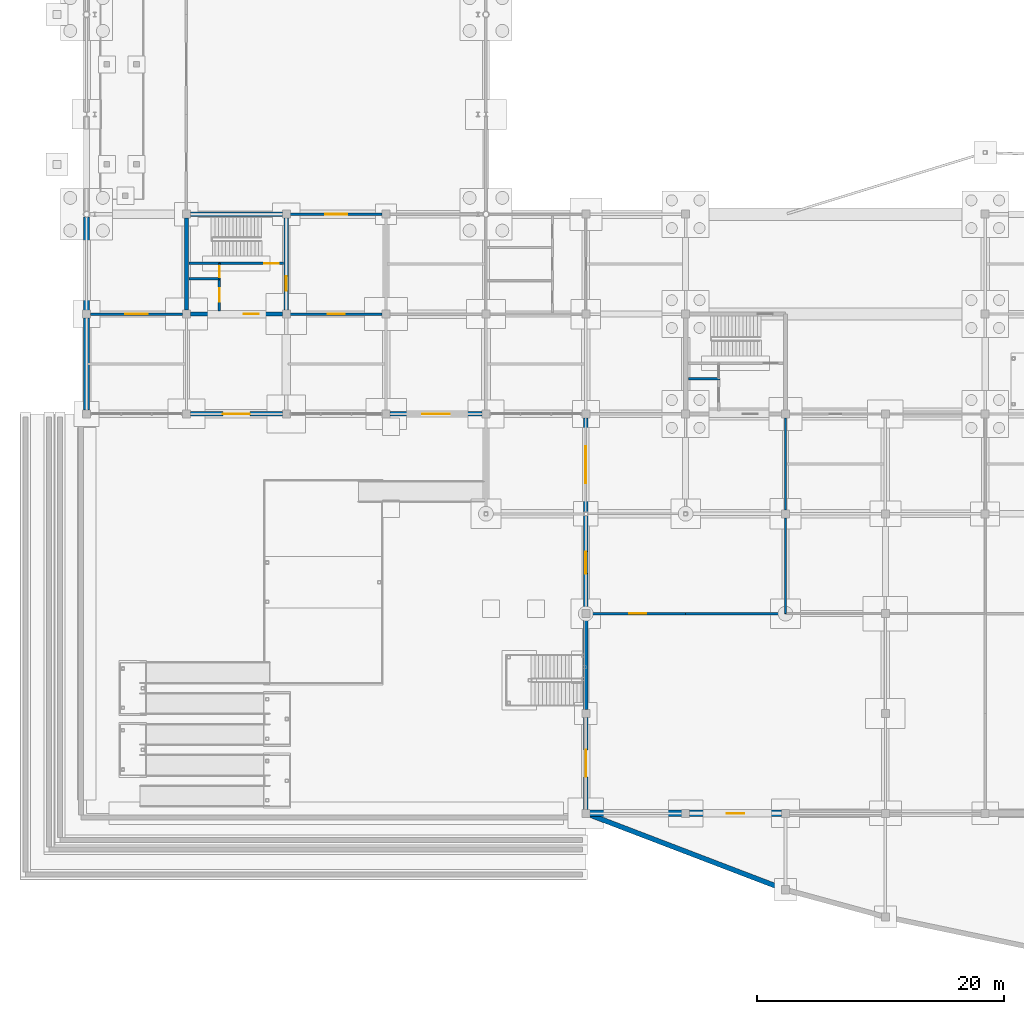
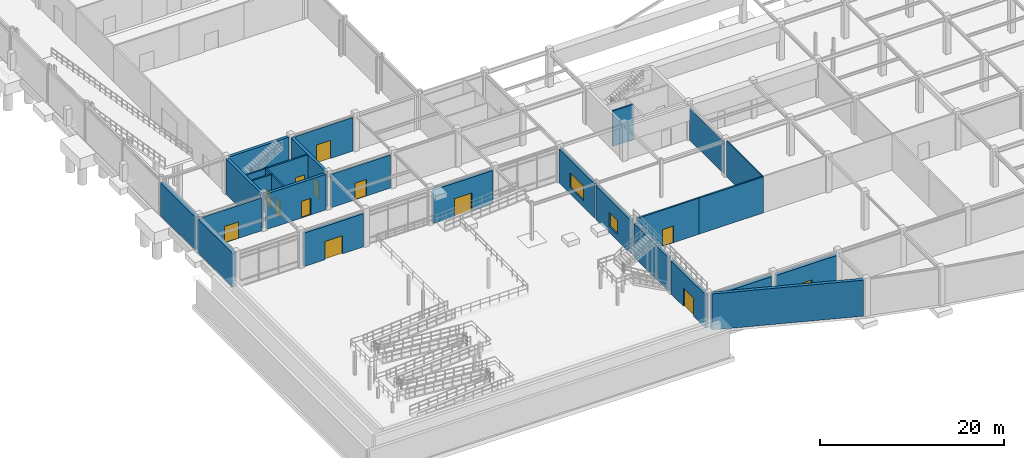
# One storey, part 45 of 67: 27 walls, 13 doors, 2 windows, 15 openings.
"""IFC4 building model written with IfcOpenShell, lengths in metres."""

from ifc_helpers import new_model, si_unit, direction, frame, frame_2d, origin, place, context, subcontext, project, spatial, rectangle, extrude, material, layer, layer_set, type_object, element, fill, save


model = new_model("IFC4")

# Units and contexts
model_context = context("Model", 3, precision=1e-05, world=origin(), true_north=direction((0.0, 1.0)))
body_context = subcontext(model_context, "Body", "Model", "MODEL_VIEW")
ifc_project = project(units=[si_unit("LENGTHUNIT", "METRE"), si_unit("AREAUNIT", "SQUARE_METRE"), si_unit("VOLUMEUNIT", "CUBIC_METRE"), si_unit("PLANEANGLEUNIT", "RADIAN"), si_unit("MASSUNIT", "GRAM", prefix="KILO")], contexts=[model_context])

# Site, building, storey
site_placement = place(None, origin())
site = spatial("IfcSite", under=ifc_project, at=site_placement, CompositionType="ELEMENT")
building_placement = place(site_placement, origin())
building = spatial("IfcBuilding", under=site, at=building_placement, Name="Vaudrelin Polytechnic", CompositionType="ELEMENT")
storey_placement = place(building_placement, frame((0.0, 0.0, -5.10009765625)))
storey = spatial("IfcBuildingStorey", under=building, at=storey_placement, Name="B1", CompositionType="ELEMENT", Elevation=-5.10009765625)

# Wall, opening, door
ifc_material_1 = material(Name="Precast concrete 35 MPa with standing-seam zinc rainscreen", Category="concrete")
ifc_layer_1 = layer(ifc_material_1, 0.360107421875)
ifc_layer_set_1 = layer_set([ifc_layer_1], Name="Precast concrete 35 MPa with standing-seam zinc rainscreen")
wall_type_1 = type_object("IfcWallType", Name="WAL-EW-ZINC360", PredefinedType="STANDARD", material=ifc_layer_set_1)
wall_1_placement = place(storey_placement, frame((8.423095703125, 32.39990234375, 0.0), z_axis=(0.0, 0.0, 1.0), x_axis=(1.0, 0.0, 0.0)))
wall_1 = element("IfcWall", 1, at=wall_1_placement, inside=storey, type_object=wall_type_1, Name="Exterior wall B1 FC_N_01", PredefinedType="STANDARD", context=body_context, shape_type="SweptSolid", body=[
    extrude(rectangle(XDim=7.453857421875, YDim=0.360107421875, at=frame_2d((3.72705078125, 0.0))), origin(), (0.0, 0.0, 1.0), 4.424072265625),
])
opening_1_placement = place(wall_1_placement, frame((2.626953125, 0.0, 0.0)))
opening_1 = element("IfcOpeningElement", 2, at=opening_1_placement, cuts=wall_1, Name="Opening ED-FC-01", PredefinedType="OPENING", context=body_context, shape_type="SweptSolid", body=[
    extrude(rectangle(XDim=2.199951171875, YDim=2.39990234375, at=frame_2d((1.10009765625, 1.199951171875))), frame((0.0, 0.18994140625, 0.0), z_axis=(0.0, -1.0, 0.0), x_axis=(1.0, 0.0, 0.0)), (0.0, 0.0, 1.0), 0.380126953125),
])
ifc_material_2 = material(Name="Thermally broken anodised aluminium AA 6063-T6", Category="aluminium")
door_type_1 = type_object("IfcDoorType", Name="DOR-ED-04", OperationType="DOUBLE_SWING_LEFT", PredefinedType="DOOR", material=ifc_material_2)
door_1_placement = place(opening_1_placement, origin())
door_1 = element("IfcDoor", 3, at=door_1_placement, inside=storey, type_object=door_type_1, Name="Exterior exit door ED-FC-01", OperationType="DOUBLE_SWING_LEFT", OverallHeight=2.39990234375, OverallWidth=2.199951171875, PredefinedType="DOOR", context=body_context, shape_type="SweptSolid", body=[
    extrude(rectangle(XDim=2.199951171875, YDim=2.39990234375, at=frame_2d((1.10009765625, 1.199951171875))), frame((0.0, 0.02490234375, 0.0), z_axis=(0.0, -1.0, 0.0), x_axis=(1.0, 0.0, 0.0)), (0.0, 0.0, 1.0), 0.050048828125),
])
fill(opening_1, door_1)

wall_2_placement = place(storey_placement, frame((24.623046875, 32.39990234375, 0.0), z_axis=(0.0, 0.0, 1.0), x_axis=(1.0, 0.0, 0.0)))
wall_2 = element("IfcWall", 4, at=wall_2_placement, inside=storey, type_object=wall_type_1, Name="Exterior wall B1 FC_N_03", PredefinedType="STANDARD", context=body_context, shape_type="SweptSolid", body=[
    extrude(rectangle(XDim=7.453857421875, YDim=0.360107421875, at=frame_2d((3.72705078125, 0.0))), origin(), (0.0, 0.0, 1.0), 4.465087890625),
])
opening_2_placement = place(wall_2_placement, frame((2.626953125, 0.0, 0.0)))
opening_2 = element("IfcOpeningElement", 5, at=opening_2_placement, cuts=wall_2, Name="Opening ED-FC-02", PredefinedType="OPENING", context=body_context, shape_type="SweptSolid", body=[
    extrude(rectangle(XDim=2.199951171875, YDim=2.39990234375, at=frame_2d((1.10009765625, 1.199951171875))), frame((0.0, 0.18994140625, 0.0), z_axis=(0.0, -1.0, 0.0), x_axis=(1.0, 0.0, 0.0)), (0.0, 0.0, 1.0), 0.380126953125),
])
door_2_placement = place(opening_2_placement, origin())
door_2 = element("IfcDoor", 6, at=door_2_placement, inside=storey, type_object=door_type_1, Name="Exterior exit door ED-FC-02", OperationType="DOUBLE_SWING_RIGHT", OverallHeight=2.39990234375, OverallWidth=2.199951171875, PredefinedType="DOOR", context=body_context, shape_type="SweptSolid", body=[
    extrude(rectangle(XDim=2.199951171875, YDim=2.39990234375, at=frame_2d((1.10009765625, 1.199951171875))), frame((0.0, 0.02490234375, 0.0), z_axis=(0.0, -1.0, 0.0), x_axis=(1.0, 0.0, 0.0)), (0.0, 0.0, 1.0), 0.050048828125),
])
fill(opening_2, door_2)

wall_3_placement = place(storey_placement, frame((40.5, 0.322998046875, 0.0), z_axis=(0.0, 0.0, 1.0), x_axis=(0.0, 1.0, 0.0)))
wall_3 = element("IfcWall", 7, at=wall_3_placement, inside=storey, type_object=wall_type_1, Name="Exterior wall B1 FC_E_00", PredefinedType="STANDARD", context=body_context, shape_type="SweptSolid", body=[
    extrude(rectangle(XDim=7.4541015625, YDim=0.360107421875, at=frame_2d((3.72705078125, 0.0))), origin(), (0.0, 0.0, 1.0), 4.424072265625),
])
opening_3_placement = place(wall_3_placement, frame((4.826904296875, 0.0, 0.0), z_axis=(0.0, 0.0, 1.0), x_axis=(-1.0, 0.0, 0.0)))
opening_3 = element("IfcOpeningElement", 8, at=opening_3_placement, cuts=wall_3, Name="Opening ED-FC-03", PredefinedType="OPENING", context=body_context, shape_type="SweptSolid", body=[
    extrude(rectangle(XDim=2.199951171875, YDim=2.39990234375, at=frame_2d((1.10009765625, 1.199951171875))), frame((0.0, 0.18994140625, 0.0), z_axis=(0.0, -1.0, 0.0), x_axis=(1.0, 0.0, 0.0)), (0.0, 0.0, 1.0), 0.380126953125),
])
door_3_placement = place(opening_3_placement, origin())
door_3 = element("IfcDoor", 9, at=door_3_placement, inside=storey, type_object=door_type_1, Name="Exterior exit door ED-FC-03", OperationType="DOUBLE_SWING_LEFT", OverallHeight=2.39990234375, OverallWidth=2.199951171875, PredefinedType="DOOR", context=body_context, shape_type="SweptSolid", body=[
    extrude(rectangle(XDim=2.199951171875, YDim=2.39990234375, at=frame_2d((1.10009765625, 1.199951171875))), frame((0.0, 0.02490234375, 0.0), z_axis=(0.0, -1.0, 0.0), x_axis=(1.0, 0.0, 0.0)), (0.0, 0.0, 1.0), 0.050048828125),
])
fill(opening_3, door_3)

# Wall
wall_4_placement = place(storey_placement, frame((40.5, 8.423095703125, 0.0), z_axis=(0.0, 0.0, 1.0), x_axis=(0.0, 1.0, 0.0)))
element("IfcWall", 10, at=wall_4_placement, inside=storey, type_object=wall_type_1, Name="Exterior wall B1 FC_E_01", PredefinedType="STANDARD", context=body_context, shape_type="SweptSolid", body=[
    extrude(rectangle(XDim=7.453857421875, YDim=0.360107421875, at=frame_2d((3.72705078125, 0.0))), origin(), (0.0, 0.0, 1.0), 4.47607421875),
])

# Wall, opening, window
wall_5_placement = place(storey_placement, frame((40.5, 16.52294921875, 0.0), z_axis=(0.0, 0.0, 1.0), x_axis=(0.0, 1.0, 0.0)))
wall_5 = element("IfcWall", 11, at=wall_5_placement, inside=storey, type_object=wall_type_1, Name="Exterior wall B1 FC_E_02", PredefinedType="STANDARD", context=body_context, shape_type="SweptSolid", body=[
    extrude(rectangle(XDim=7.62646484375, YDim=0.360107421875, at=frame_2d((3.813232421875, 0.0))), origin(), (0.0, 0.0, 1.0), 4.465087890625),
])
opening_4_placement = place(wall_5_placement, frame((2.913330078125, 0.0, 0.85009765625)))
opening_4 = element("IfcOpeningElement", 12, at=opening_4_placement, cuts=wall_5, Name="Opening W-B1-FC-E-03", PredefinedType="OPENING", context=body_context, shape_type="SweptSolid", body=[
    extrude(rectangle(XDim=1.800048828125, YDim=1.800048828125, at=frame_2d((0.89990234375, 0.89990234375))), frame((0.0, 0.18994140625, 0.0), z_axis=(0.0, -1.0, 0.0), x_axis=(1.0, 0.0, 0.0)), (0.0, 0.0, 1.0), 0.380126953125),
])
ifc_material_3 = material(Name="Thermally broken aluminium frame with triple low-e glazing", Category="aluminium")
window_type_1 = type_object("IfcWindowType", Name="WIN-WN-02", PartitioningType="SINGLE_PANEL", PredefinedType="WINDOW", material=ifc_material_3)
window_1_placement = place(opening_4_placement, origin())
window_1 = element("IfcWindow", 13, at=window_1_placement, inside=storey, type_object=window_type_1, Name="Facade window B1-FC_E_02", OverallHeight=1.800048828125, OverallWidth=1.800048828125, PartitioningType="SINGLE_PANEL", PredefinedType="WINDOW", context=body_context, shape_type="SweptSolid", body=[
    extrude(rectangle(XDim=1.800048828125, YDim=1.800048828125, at=frame_2d((0.89990234375, 0.89990234375))), frame((0.0, 0.030029296875, 0.0), z_axis=(0.0, -1.0, 0.0), x_axis=(1.0, 0.0, 0.0)), (0.0, 0.0, 1.0), 0.06005859375),
])
fill(opening_4, window_1)

wall_6_placement = place(storey_placement, frame((40.5, 24.450439453125, 0.0), z_axis=(0.0, 0.0, 1.0), x_axis=(0.0, 1.0, 0.0)))
wall_6 = element("IfcWall", 14, at=wall_6_placement, inside=storey, type_object=wall_type_1, Name="Exterior wall B1 FC_E_03", PredefinedType="STANDARD", context=body_context, shape_type="SweptSolid", body=[
    extrude(rectangle(XDim=7.62646484375, YDim=0.360107421875, at=frame_2d((3.813232421875, 0.0))), origin(), (0.0, 0.0, 1.0), 4.51611328125),
])
opening_5_placement = place(wall_6_placement, frame((2.313232421875, 0.0, 0.85009765625)))
opening_5 = element("IfcOpeningElement", 15, at=opening_5_placement, cuts=wall_6, Name="Opening W-B1-FC-E-04", PredefinedType="OPENING", context=body_context, shape_type="SweptSolid", body=[
    extrude(rectangle(XDim=3.0, YDim=1.89990234375, at=frame_2d((1.5, 0.949951171875))), frame((0.0, 0.18994140625, 0.0), z_axis=(0.0, -1.0, 0.0), x_axis=(1.0, 0.0, 0.0)), (0.0, 0.0, 1.0), 0.380126953125),
])
window_type_2 = type_object("IfcWindowType", Name="WIN-WN-03", PartitioningType="SINGLE_PANEL", PredefinedType="WINDOW", material=ifc_material_3)
window_2_placement = place(opening_5_placement, origin())
window_2 = element("IfcWindow", 16, at=window_2_placement, inside=storey, type_object=window_type_2, Name="Facade window B1-FC_E_03", OverallHeight=1.89990234375, OverallWidth=3.0, PartitioningType="SINGLE_PANEL", PredefinedType="WINDOW", context=body_context, shape_type="SweptSolid", body=[
    extrude(rectangle(XDim=3.0, YDim=1.89990234375, at=frame_2d((1.5, 0.949951171875))), frame((0.0, 0.030029296875, 0.0), z_axis=(0.0, -1.0, 0.0), x_axis=(1.0, 0.0, 0.0)), (0.0, 0.0, 1.0), 0.06005859375),
])
fill(opening_5, window_2)

# Wall, opening, door
ifc_material_4 = material(Name="Concrete masonry unit 20 MPa shaft & corridor fire wall", Category="masonry")
ifc_layer_2 = layer(ifc_material_4, 0.199951171875)
ifc_layer_set_2 = layer_set([ifc_layer_2], Name="Concrete masonry unit 20 MPa shaft & corridor fire wall")
wall_type_2 = type_object("IfcWallType", Name="WAL-PW-FIRE120", PredefinedType="PARTITIONING", material=ifc_layer_set_2)
wall_7_placement = place(storey_placement, frame((16.52294921875, 48.60009765625, 0.0), z_axis=(0.0, 0.0, 1.0), x_axis=(1.0, 0.0, 0.0)))
wall_7 = element("IfcWall", 17, at=wall_7_placement, inside=storey, type_object=wall_type_2, Name="Partition B1-006 S", PredefinedType="PARTITIONING", context=body_context, shape_type="SweptSolid", body=[
    extrude(rectangle(XDim=7.4541015625, YDim=0.199951171875, at=frame_2d((3.72705078125, 0.0))), origin(), (0.0, 0.0, 1.0), 4.4560546875),
])
opening_6_placement = place(wall_7_placement, frame((2.826904296875, 0.0, 0.0)))
opening_6 = element("IfcOpeningElement", 18, at=opening_6_placement, cuts=wall_7, Name="Opening D-B1-581", PredefinedType="OPENING", context=body_context, shape_type="SweptSolid", body=[
    extrude(rectangle(XDim=1.800048828125, YDim=2.39990234375, at=frame_2d((0.89990234375, 1.199951171875))), frame((0.0, 0.10986328125, 0.0), z_axis=(0.0, -1.0, 0.0), x_axis=(1.0, 0.0, 0.0)), (0.0, 0.0, 1.0), 0.219970703125),
])
ifc_material_5 = material(Name="Pressed galvanised steel acoustic leaf", Category="steel")
door_type_2 = type_object("IfcDoorType", Name="DOR-ID-WK1", OperationType="NOTDEFINED", PredefinedType="DOOR", material=ifc_material_5)
door_4_placement = place(opening_6_placement, origin())
door_4 = element("IfcDoor", 19, at=door_4_placement, inside=storey, type_object=door_type_2, Name="Heavy structures south workshop door B1", OperationType="DOUBLE_SWING_LEFT", OverallHeight=2.39990234375, OverallWidth=1.800048828125, PredefinedType="DOOR", context=body_context, shape_type="SweptSolid", body=[
    extrude(rectangle(XDim=1.800048828125, YDim=2.39990234375, at=frame_2d((0.89990234375, 1.199951171875))), frame((0.0, 0.02490234375, 0.0), z_axis=(0.0, -1.0, 0.0), x_axis=(1.0, 0.0, 0.0)), (0.0, 0.0, 1.0), 0.050048828125),
])
fill(opening_6, door_4)

wall_8_placement = place(storey_placement, frame((16.52294921875, 40.5, 0.0), z_axis=(0.0, 0.0, 1.0), x_axis=(1.0, 0.0, 0.0)))
wall_8 = element("IfcWall", 20, at=wall_8_placement, inside=storey, type_object=wall_type_2, Name="Partition B1-009 S", PredefinedType="PARTITIONING", context=body_context, shape_type="SweptSolid", body=[
    extrude(rectangle(XDim=7.4541015625, YDim=0.199951171875, at=frame_2d((3.72705078125, 0.0))), origin(), (0.0, 0.0, 1.0), 4.405029296875),
])
opening_7_placement = place(wall_8_placement, frame((3.027099609375, 0.0, 0.0)))
opening_7 = element("IfcOpeningElement", 21, at=opening_7_placement, cuts=wall_8, Name="Opening D-B1-397", PredefinedType="OPENING", context=body_context, shape_type="SweptSolid", body=[
    extrude(rectangle(XDim=1.39990234375, YDim=2.199951171875, at=frame_2d((0.699951171875, 1.10009765625))), frame((0.0, 0.10986328125, 0.0), z_axis=(0.0, -1.0, 0.0), x_axis=(1.0, 0.0, 0.0)), (0.0, 0.0, 1.0), 0.219970703125),
])
door_type_3 = type_object("IfcDoorType", Name="DOR-ID-PLT1", OperationType="NOTDEFINED", PredefinedType="DOOR", material=ifc_material_5)
door_5_placement = place(opening_7_placement, origin())
door_5 = element("IfcDoor", 22, at=door_5_placement, inside=storey, type_object=door_type_3, Name="Workshop Tool and Stock Store door B1-009", OperationType="DOUBLE_SWING_LEFT", OverallHeight=2.199951171875, OverallWidth=1.39990234375, PredefinedType="DOOR", context=body_context, shape_type="SweptSolid", body=[
    extrude(rectangle(XDim=1.39990234375, YDim=2.199951171875, at=frame_2d((0.699951171875, 1.10009765625))), frame((0.0, 0.02490234375, 0.0), z_axis=(0.0, -1.0, 0.0), x_axis=(1.0, 0.0, 0.0)), (0.0, 0.0, 1.0), 0.050048828125),
])
fill(opening_7, door_5)

wall_9_placement = place(storey_placement, frame((40.822998046875, 16.199951171875, 0.0), z_axis=(0.0, 0.0, 1.0), x_axis=(1.0, 0.0, 0.0)))
wall_9 = element("IfcWall", 23, at=wall_9_placement, inside=storey, type_object=wall_type_2, Name="Partition B1-016 N", PredefinedType="PARTITIONING", context=body_context, shape_type="SweptSolid", body=[
    extrude(rectangle(XDim=7.777099609375, YDim=0.199951171875, at=frame_2d((3.888671875, 0.0))), origin(), (0.0, 0.0, 1.0), 4.781982421875),
])
opening_8_placement = place(wall_9_placement, frame((3.1884765625, 0.0, 0.0)))
opening_8 = element("IfcOpeningElement", 24, at=opening_8_placement, cuts=wall_9, Name="Opening D-B1-403", PredefinedType="OPENING", context=body_context, shape_type="SweptSolid", body=[
    extrude(rectangle(XDim=1.39990234375, YDim=2.199951171875, at=frame_2d((0.699951171875, 1.10009765625))), frame((0.0, 0.10986328125, 0.0), z_axis=(0.0, -1.0, 0.0), x_axis=(1.0, 0.0, 0.0)), (0.0, 0.0, 1.0), 0.219970703125),
])
door_6_placement = place(opening_8_placement, origin())
door_6 = element("IfcDoor", 25, at=door_6_placement, inside=storey, type_object=door_type_3, Name="Auditorium Acoustic Plenum and AV Room door B1-016", OperationType="DOUBLE_SWING_LEFT", OverallHeight=2.199951171875, OverallWidth=1.39990234375, PredefinedType="DOOR", context=body_context, shape_type="SweptSolid", body=[
    extrude(rectangle(XDim=1.39990234375, YDim=2.199951171875, at=frame_2d((0.699951171875, 1.10009765625))), frame((0.0, 0.02490234375, 0.0), z_axis=(0.0, -1.0, 0.0), x_axis=(1.0, 0.0, 0.0)), (0.0, 0.0, 1.0), 0.050048828125),
])
fill(opening_8, door_6)

# Wall
wall_10_placement = place(storey_placement, frame((48.60009765625, 16.199951171875, 0.0), z_axis=(0.0, 0.0, 1.0), x_axis=(1.0, 0.0, 0.0)))
element("IfcWall", 26, at=wall_10_placement, inside=storey, type_object=wall_type_2, Name="Partition B1-016 N", PredefinedType="PARTITIONING", context=body_context, shape_type="SweptSolid", body=[
    extrude(rectangle(XDim=8.099853515625, YDim=0.199951171875, at=frame_2d((4.0498046875, 0.0))), origin(), (0.0, 0.0, 1.0), 4.781982421875),
])

# Wall, opening, door
wall_11_placement = place(storey_placement, frame((0.322998046875, 40.5, 0.0), z_axis=(0.0, 0.0, 1.0), x_axis=(1.0, 0.0, 0.0)))
wall_11 = element("IfcWall", 27, at=wall_11_placement, inside=storey, type_object=wall_type_2, Name="Interior partition B1 0-5 to 1-5", PredefinedType="PARTITIONING", context=body_context, shape_type="SweptSolid", body=[
    extrude(rectangle(XDim=7.4541015625, YDim=0.199951171875, at=frame_2d((3.72705078125, 0.0))), origin(), (0.0, 0.0, 1.0), 4.364013671875),
])
opening_9_placement = place(wall_11_placement, frame((2.826904296875, 0.0, 0.0)))
opening_9 = element("IfcOpeningElement", 28, at=opening_9_placement, cuts=wall_11, Name="Opening D-B1-577", PredefinedType="OPENING", context=body_context, shape_type="SweptSolid", body=[
    extrude(rectangle(XDim=1.800048828125, YDim=2.199951171875, at=frame_2d((0.89990234375, 1.10009765625))), frame((0.0, 0.10986328125, 0.0), z_axis=(0.0, -1.0, 0.0), x_axis=(1.0, 0.0, 0.0)), (0.0, 0.0, 1.0), 0.219970703125),
])
door_type_4 = type_object("IfcDoorType", Name="DOR-ID-DBL1", OperationType="NOTDEFINED", PredefinedType="DOOR", material=ifc_material_5)
door_7_placement = place(opening_9_placement, origin())
door_7 = element("IfcDoor", 29, at=door_7_placement, inside=storey, type_object=door_type_4, Name="Service ramp vestibule concourse door B1", OperationType="DOUBLE_SWING_LEFT", OverallHeight=2.199951171875, OverallWidth=1.800048828125, PredefinedType="DOOR", context=body_context, shape_type="SweptSolid", body=[
    extrude(rectangle(XDim=1.800048828125, YDim=2.199951171875, at=frame_2d((0.89990234375, 1.10009765625))), frame((0.0, 0.02490234375, 0.0), z_axis=(0.0, -1.0, 0.0), x_axis=(1.0, 0.0, 0.0)), (0.0, 0.0, 1.0), 0.050048828125),
])
fill(opening_9, door_7)

ifc_material_6 = material(Name="Fire-rated steel-stud gypsum compartment wall", Category="steel")
ifc_layer_3 = layer(ifc_material_6, 0.14990234375)
ifc_layer_set_3 = layer_set([ifc_layer_3], Name="Fire-rated steel-stud gypsum compartment wall")
wall_type_3 = type_object("IfcWallType", Name="WAL-PW-FIRE60", PredefinedType="PARTITIONING", material=ifc_layer_set_3)
wall_12_placement = place(storey_placement, frame((10.780029296875, 43.35009765625, 0.0), z_axis=(0.0, 0.0, 1.0), x_axis=(0.0, 1.0, 0.0)))
wall_12 = element("IfcWall", 30, at=wall_12_placement, inside=storey, type_object=wall_type_3, Name="Core C3 riser enclosure wall B1", PredefinedType="PARTITIONING", context=body_context, shape_type="SweptSolid", body=[
    extrude(rectangle(XDim=1.260009765625, YDim=0.14990234375, at=frame_2d((0.6298828125, 0.0))), origin(), (0.0, 0.0, 1.0), 4.72216796875),
])
opening_10_placement = place(wall_12_placement, frame((0.139892578125, 0.0, 0.0)))
opening_10 = element("IfcOpeningElement", 31, at=opening_10_placement, cuts=wall_12, Name="Opening D-B1-048", PredefinedType="OPENING", context=body_context, shape_type="SweptSolid", body=[
    extrude(rectangle(XDim=0.89990234375, YDim=2.14990234375, at=frame_2d((0.449951171875, 1.074951171875))), frame((0.0, 0.0849609375, 0.0), z_axis=(0.0, -1.0, 0.0), x_axis=(1.0, 0.0, 0.0)), (0.0, 0.0, 1.0), 0.169921875),
])
door_type_5 = type_object("IfcDoorType", Name="DOR-ID-RSR1", OperationType="NOTDEFINED", PredefinedType="DOOR", material=ifc_material_5)
door_8_placement = place(opening_10_placement, origin())
door_8 = element("IfcDoor", 32, at=door_8_placement, inside=storey, type_object=door_type_5, Name="Core C3 riser access door B1", OperationType="SINGLE_SWING_RIGHT", OverallHeight=2.14990234375, OverallWidth=0.89990234375, PredefinedType="DOOR", context=body_context, shape_type="SweptSolid", body=[
    extrude(rectangle(XDim=0.89990234375, YDim=2.14990234375, at=frame_2d((0.449951171875, 1.074951171875))), frame((0.0, 0.02490234375, 0.0), z_axis=(0.0, -1.0, 0.0), x_axis=(1.0, 0.0, 0.0)), (0.0, 0.0, 1.0), 0.050048828125),
])
fill(opening_10, door_8)

# Walls
ifc_material_7 = material(Name="Acoustic steel-stud office & study room partition", Category="steel")
ifc_layer_4 = layer(ifc_material_7, 0.135009765625)
ifc_layer_set_4 = layer_set([ifc_layer_4], Name="Acoustic steel-stud office & study room partition")
wall_type_4 = type_object("IfcWallType", Name="WAL-PW-OFF135", PredefinedType="PARTITIONING", material=ifc_layer_set_4)
wall_13_placement = place(storey_placement, frame((56.699951171875, 16.199951171875, 0.0), z_axis=(0.0, 0.0, 1.0), x_axis=(0.0, 1.0, 0.0)))
element("IfcWall", 33, at=wall_13_placement, inside=storey, type_object=wall_type_4, Name="Partition B1-004 W", PredefinedType="PARTITIONING", context=body_context, shape_type="SweptSolid", body=[
    extrude(rectangle(XDim=7.777099609375, YDim=0.135009765625, at=frame_2d((3.888671875, 0.0))), origin(), (0.0, 0.0, 1.0), 4.781982421875),
])
wall_14_placement = place(storey_placement, frame((56.699951171875, 24.623046875, 0.0), z_axis=(0.0, 0.0, 1.0), x_axis=(0.0, 1.0, 0.0)))
element("IfcWall", 34, at=wall_14_placement, inside=storey, type_object=wall_type_4, Name="Partition B1-004 W", PredefinedType="PARTITIONING", context=body_context, shape_type="SweptSolid", body=[
    extrude(rectangle(XDim=7.453857421875, YDim=0.135009765625, at=frame_2d((3.72705078125, 0.0))), origin(), (0.0, 0.0, 1.0), 4.233154296875),
])

# Wall, opening, door
ifc_material_8 = material(Name="Concrete 40 MPa", Category="concrete")
ifc_layer_5 = layer(ifc_material_8, 0.199951171875)
ifc_layer_set_5 = layer_set([ifc_layer_5], Name="Concrete 40 MPa")
wall_type_5 = type_object("IfcWallType", Name="WAL-SW-CORE200", PredefinedType="SHEAR", material=ifc_layer_set_5)
wall_15_placement = place(storey_placement, frame((8.320068359375, 44.610107421875, 0.0), z_axis=(0.0, 0.0, 1.0), x_axis=(1.0, 0.0, 0.0)))
wall_15 = element("IfcWall", 35, at=wall_15_placement, inside=storey, type_object=wall_type_5, Name="Core C3 stair enclosure wall B1", PredefinedType="SHEAR", context=body_context, shape_type="SweptSolid", body=[
    extrude(rectangle(XDim=7.659912109375, YDim=0.199951171875, at=frame_2d((3.830078125, 0.0))), origin(), (0.0, 0.0, 1.0), 4.72216796875),
])
opening_11_placement = place(wall_15_placement, frame((6.110107421875, 0.0, 0.0)))
opening_11 = element("IfcOpeningElement", 36, at=opening_11_placement, cuts=wall_15, Name="Opening D-B1-047", PredefinedType="OPENING", context=body_context, shape_type="SweptSolid", body=[
    extrude(rectangle(XDim=1.14990234375, YDim=2.199951171875, at=frame_2d((0.574951171875, 1.10009765625))), frame((0.0, 0.10986328125, 0.0), z_axis=(0.0, -1.0, 0.0), x_axis=(1.0, 0.0, 0.0)), (0.0, 0.0, 1.0), 0.219970703125),
])
door_type_6 = type_object("IfcDoorType", Name="DOR-ID-ST1", OperationType="NOTDEFINED", PredefinedType="DOOR", material=ifc_material_5)
door_9_placement = place(opening_11_placement, origin())
door_9 = element("IfcDoor", 37, at=door_9_placement, inside=storey, type_object=door_type_6, Name="Core C3 exit stair door B1", OperationType="SINGLE_SWING_LEFT", OverallHeight=2.199951171875, OverallWidth=1.14990234375, PredefinedType="DOOR", context=body_context, shape_type="SweptSolid", body=[
    extrude(rectangle(XDim=1.14990234375, YDim=2.199951171875, at=frame_2d((0.574951171875, 1.10009765625))), frame((0.0, 0.02490234375, 0.0), z_axis=(0.0, -1.0, 0.0), x_axis=(1.0, 0.0, 0.0)), (0.0, 0.0, 1.0), 0.050048828125),
])
fill(opening_11, door_9)

wall_16_placement = place(storey_placement, frame((10.780029296875, 40.75, 0.0), z_axis=(0.0, 0.0, 1.0), x_axis=(0.0, 1.0, 0.0)))
wall_16 = element("IfcWall", 38, at=wall_16_placement, inside=storey, type_object=wall_type_5, Name="Lift LF-03 shaft front wall B1", PredefinedType="SHEAR", context=body_context, shape_type="SweptSolid", body=[
    extrude(rectangle(XDim=2.60009765625, YDim=0.199951171875, at=frame_2d((1.300048828125, 0.0))), origin(), (0.0, 0.0, 1.0), 4.72216796875),
])
opening_12_placement = place(wall_16_placement, frame((0.75, 0.0, 0.0)))
opening_12 = element("IfcOpeningElement", 39, at=opening_12_placement, cuts=wall_16, Name="Opening LD-LF-03-B1", PredefinedType="OPENING", context=body_context, shape_type="SweptSolid", body=[
    extrude(rectangle(XDim=1.10009765625, YDim=2.199951171875, at=frame_2d((0.550048828125, 1.10009765625))), frame((0.0, 0.10986328125, 0.0), z_axis=(0.0, -1.0, 0.0), x_axis=(1.0, 0.0, 0.0)), (0.0, 0.0, 1.0), 0.219970703125),
])
ifc_material_9 = material(Name="Brushed stainless steel AISI 304", Category="steel")
door_type_7 = type_object("IfcDoorType", Name="DOR-LD-PAX", OperationType="SLIDING_TO_LEFT", PredefinedType="DOOR", material=ifc_material_9)
door_10_placement = place(opening_12_placement, origin())
door_10 = element("IfcDoor", 40, at=door_10_placement, inside=storey, type_object=door_type_7, Name="Lift LF-03 landing door B1", OperationType="SLIDING_TO_LEFT", OverallHeight=2.199951171875, OverallWidth=1.10009765625, PredefinedType="DOOR", context=body_context, shape_type="SweptSolid", body=[
    extrude(rectangle(XDim=1.10009765625, YDim=2.199951171875, at=frame_2d((0.550048828125, 1.10009765625))), frame((0.0, 0.02490234375, 0.0), z_axis=(0.0, -1.0, 0.0), x_axis=(1.0, 0.0, 0.0)), (0.0, 0.0, 1.0), 0.050048828125),
])
fill(opening_12, door_10)

# Walls
wall_17_placement = place(storey_placement, frame((8.320068359375, 43.35009765625, 0.0), z_axis=(0.0, 0.0, 1.0), x_axis=(1.0, 0.0, 0.0)))
element("IfcWall", 41, at=wall_17_placement, inside=storey, type_object=wall_type_5, Name="Lift LF-03 shaft north wall B1", PredefinedType="SHEAR", context=body_context, shape_type="SweptSolid", body=[
    extrude(rectangle(XDim=2.559814453125, YDim=0.199951171875, at=frame_2d((1.27978515625, 0.0))), origin(), (0.0, 0.0, 1.0), 4.72216796875),
])
wall_18_placement = place(storey_placement, frame((48.820068359375, 35.25, 0.0), z_axis=(0.0, 0.0, 1.0), x_axis=(1.0, 0.0, 0.0)))
element("IfcWall", 42, at=wall_18_placement, inside=storey, type_object=wall_type_5, Name="Lift LF-04 shaft north wall B1", PredefinedType="SHEAR", context=body_context, shape_type="SweptSolid", body=[
    extrude(rectangle(XDim=2.559814453125, YDim=0.199951171875, at=frame_2d((1.27978515625, 0.0))), origin(), (0.0, 0.0, 1.0), 4.68212890625),
])
ifc_material_10 = material(Name="Concrete 50 MPa", Category="concrete")
ifc_layer_6 = layer(ifc_material_10, 0.35009765625)
ifc_layer_set_6 = layer_set([ifc_layer_6], Name="Concrete 50 MPa")
wall_type_6 = type_object("IfcWallType", Name="WAL-SW-CORE350", PredefinedType="SHEAR", material=ifc_layer_set_6)
wall_19_placement = place(storey_placement, frame((8.423095703125, 48.60009765625, 0.0), z_axis=(0.0, 0.0, 1.0), x_axis=(1.0, 0.0, 0.0)))
element("IfcWall", 43, at=wall_19_placement, inside=storey, type_object=wall_type_6, Name="Core C3 N shear wall B1", PredefinedType="SHEAR", context=body_context, shape_type="SweptSolid", body=[
    extrude(rectangle(XDim=7.453857421875, YDim=0.35009765625, at=frame_2d((3.72705078125, 0.0))), origin(), (0.0, 0.0, 1.0), 4.72216796875),
])
wall_20_placement = place(storey_placement, frame((8.10009765625, 40.822998046875, 0.0), z_axis=(0.0, 0.0, 1.0), x_axis=(0.0, 1.0, 0.0)))
element("IfcWall", 44, at=wall_20_placement, inside=storey, type_object=wall_type_6, Name="Core C3 W shear wall B1", PredefinedType="SHEAR", context=body_context, shape_type="SweptSolid", body=[
    extrude(rectangle(XDim=7.4541015625, YDim=0.35009765625, at=frame_2d((3.72705078125, 0.0))), origin(), (0.0, 0.0, 1.0), 4.72216796875),
])

# Wall, opening, door
wall_21_placement = place(storey_placement, frame((16.199951171875, 40.822998046875, 0.0), z_axis=(0.0, 0.0, 1.0), x_axis=(0.0, 1.0, 0.0)))
wall_21 = element("IfcWall", 45, at=wall_21_placement, inside=storey, type_object=wall_type_6, Name="Core C3 E shear wall B1", PredefinedType="SHEAR", context=body_context, shape_type="SweptSolid", body=[
    extrude(rectangle(XDim=7.4541015625, YDim=0.35009765625, at=frame_2d((3.72705078125, 0.0))), origin(), (0.0, 0.0, 1.0), 4.72216796875),
])
opening_13_placement = place(wall_21_placement, frame((1.550048828125, 0.0, 0.0)))
opening_13 = element("IfcOpeningElement", 46, at=opening_13_placement, cuts=wall_21, Name="Opening D-B1-045", PredefinedType="OPENING", context=body_context, shape_type="SweptSolid", body=[
    extrude(rectangle(XDim=1.199951171875, YDim=2.199951171875, at=frame_2d((0.60009765625, 1.10009765625))), frame((0.0, 0.18505859375, 0.0), z_axis=(0.0, -1.0, 0.0), x_axis=(1.0, 0.0, 0.0)), (0.0, 0.0, 1.0), 0.3701171875),
])
door_type_8 = type_object("IfcDoorType", Name="DOR-ID-LB1", OperationType="NOTDEFINED", PredefinedType="DOOR", material=ifc_material_5)
door_11_placement = place(opening_13_placement, origin())
door_11 = element("IfcDoor", 47, at=door_11_placement, inside=storey, type_object=door_type_8, Name="Core C3 lobby fire door B1", OperationType="SINGLE_SWING_RIGHT", OverallHeight=2.199951171875, OverallWidth=1.199951171875, PredefinedType="DOOR", context=body_context, shape_type="SweptSolid", body=[
    extrude(rectangle(XDim=1.199951171875, YDim=2.199951171875, at=frame_2d((0.60009765625, 1.10009765625))), frame((0.0, 0.02490234375, 0.0), z_axis=(0.0, -1.0, 0.0), x_axis=(1.0, 0.0, 0.0)), (0.0, 0.0, 1.0), 0.050048828125),
])
fill(opening_13, door_11)

wall_22_placement = place(storey_placement, frame((8.423095703125, 40.5, 0.0), z_axis=(0.0, 0.0, 1.0), x_axis=(1.0, 0.0, 0.0)))
wall_22 = element("IfcWall", 48, at=wall_22_placement, inside=storey, type_object=wall_type_6, Name="Core C3 S shear wall B1", PredefinedType="SHEAR", context=body_context, shape_type="SweptSolid", body=[
    extrude(rectangle(XDim=7.453857421875, YDim=0.35009765625, at=frame_2d((3.72705078125, 0.0))), origin(), (0.0, 0.0, 1.0), 4.72216796875),
])
opening_14_placement = place(wall_22_placement, frame((4.326904296875, 0.0, 0.0)))
opening_14 = element("IfcOpeningElement", 49, at=opening_14_placement, cuts=wall_22, Name="Opening D-B1-046", PredefinedType="OPENING", context=body_context, shape_type="SweptSolid", body=[
    extrude(rectangle(XDim=1.199951171875, YDim=2.199951171875, at=frame_2d((0.60009765625, 1.10009765625))), frame((0.0, 0.18505859375, 0.0), z_axis=(0.0, -1.0, 0.0), x_axis=(1.0, 0.0, 0.0)), (0.0, 0.0, 1.0), 0.3701171875),
])
door_12_placement = place(opening_14_placement, origin())
door_12 = element("IfcDoor", 50, at=door_12_placement, inside=storey, type_object=door_type_8, Name="Core C3 lobby fire door B1-S", OperationType="SINGLE_SWING_LEFT", OverallHeight=2.199951171875, OverallWidth=1.199951171875, PredefinedType="DOOR", context=body_context, shape_type="SweptSolid", body=[
    extrude(rectangle(XDim=1.199951171875, YDim=2.199951171875, at=frame_2d((0.60009765625, 1.10009765625))), frame((0.0, 0.02490234375, 0.0), z_axis=(0.0, -1.0, 0.0), x_axis=(1.0, 0.0, 0.0)), (0.0, 0.0, 1.0), 0.050048828125),
])
fill(opening_14, door_12)

# Walls
ifc_layer_7 = layer(ifc_material_8, 0.39990234375)
ifc_layer_set_7 = layer_set([ifc_layer_7], Name="Concrete 40 MPa")
wall_type_7 = type_object("IfcWallType", Name="WAL-SW-RET400", PredefinedType="SOLIDWALL", material=ifc_layer_set_7)
wall_23_placement = place(storey_placement, frame((40.8173828125, -0.12158203125, 0.0), z_axis=(0.0, 0.0, 1.0), x_axis=(0.933938964272, -0.357432526519, 0.0)))
element("IfcWall", 51, at=wall_23_placement, inside=storey, type_object=wall_type_7, Name="Basement lecture prow retaining wall 1", PredefinedType="SOLIDWALL", context=body_context, shape_type="SweptSolid", body=[
    extrude(rectangle(XDim=16.666259765625, YDim=0.39990234375, at=frame_2d((8.3330078125, 0.0))), origin(), (0.0, 0.0, 1.0), 4.780029296875),
])
ifc_material_11 = material(Name="Concrete 35 MPa", Category="concrete")
ifc_layer_8 = layer(ifc_material_11, 0.5)
ifc_layer_set_8 = layer_set([ifc_layer_8], Name="Concrete 35 MPa")
wall_type_8 = type_object("IfcWallType", Name="WAL-SW-RET500", PredefinedType="SOLIDWALL", material=ifc_layer_set_8)
wall_24_placement = place(storey_placement, frame((0.0, 32.7099609375, 0.0), z_axis=(0.0, 0.0, 1.0), x_axis=(0.0, 1.0, 0.0)))
element("IfcWall", 52, at=wall_24_placement, inside=storey, type_object=wall_type_8, Name="Basement retaining wall RET-W-V1-1", PredefinedType="SOLIDWALL", context=body_context, shape_type="SweptSolid", body=[
    extrude(rectangle(XDim=7.47998046875, YDim=0.5, at=frame_2d((3.739990234375, 0.0))), origin(), (0.0, 0.0, 1.0), 4.47509765625),
])
wall_25_placement = place(storey_placement, frame((0.0, 40.81005859375, 0.0), z_axis=(0.0, 0.0, 1.0), x_axis=(0.0, 1.0, 0.0)))
element("IfcWall", 53, at=wall_25_placement, inside=storey, type_object=wall_type_8, Name="Basement retaining wall RET-W-V1-2", PredefinedType="SOLIDWALL", context=body_context, shape_type="SweptSolid", body=[
    extrude(rectangle(XDim=7.551025390625, YDim=0.5, at=frame_2d((3.775390625, 0.0))), origin(), (0.0, 0.0, 1.0), 4.362060546875),
])
wall_26_placement = place(storey_placement, frame((40.81005859375, 0.0, 0.0), z_axis=(0.0, 0.0, 1.0), x_axis=(1.0, 0.0, 0.0)))
element("IfcWall", 54, at=wall_26_placement, inside=storey, type_object=wall_type_8, Name="Basement retaining wall RET-S-V23-1", PredefinedType="SOLIDWALL", context=body_context, shape_type="SweptSolid", body=[
    extrude(rectangle(XDim=7.47998046875, YDim=0.5, at=frame_2d((3.739990234375, 0.0))), origin(), (0.0, 0.0, 1.0), 4.422119140625),
])

# Wall, opening, door
wall_27_placement = place(storey_placement, frame((48.909912109375, 0.0, 0.0), z_axis=(0.0, 0.0, 1.0), x_axis=(1.0, 0.0, 0.0)))
wall_27 = element("IfcWall", 55, at=wall_27_placement, inside=storey, type_object=wall_type_8, Name="Basement retaining wall RET-S-V23-2", PredefinedType="SOLIDWALL", context=body_context, shape_type="SweptSolid", body=[
    extrude(rectangle(XDim=7.47998046875, YDim=0.5, at=frame_2d((3.739990234375, 0.0))), origin(), (0.0, 0.0, 1.0), 4.364990234375),
])
opening_15_placement = place(wall_27_placement, frame((3.0400390625, 0.0, 0.0)))
opening_15 = element("IfcOpeningElement", 56, at=opening_15_placement, cuts=wall_27, Name="Opening D-B1-595", PredefinedType="OPENING", context=body_context, shape_type="SweptSolid", body=[
    extrude(rectangle(XDim=1.39990234375, YDim=2.199951171875, at=frame_2d((0.699951171875, 1.10009765625))), frame((0.0, 0.260009765625, 0.0), z_axis=(0.0, -1.0, 0.0), x_axis=(1.0, 0.0, 0.0)), (0.0, 0.0, 1.0), 0.52001953125),
])
door_13_placement = place(opening_15_placement, origin())
door_13 = element("IfcDoor", 57, at=door_13_placement, inside=storey, type_object=door_type_3, Name="Sub-stage acoustic plenum prow door B1", OperationType="DOUBLE_SWING_LEFT", OverallHeight=2.199951171875, OverallWidth=1.39990234375, PredefinedType="DOOR", context=body_context, shape_type="SweptSolid", body=[
    extrude(rectangle(XDim=1.39990234375, YDim=2.199951171875, at=frame_2d((0.699951171875, 1.10009765625))), frame((0.0, 0.02490234375, 0.0), z_axis=(0.0, -1.0, 0.0), x_axis=(1.0, 0.0, 0.0)), (0.0, 0.0, 1.0), 0.050048828125),
])
fill(opening_15, door_13)

save(model, "model.ifc")
